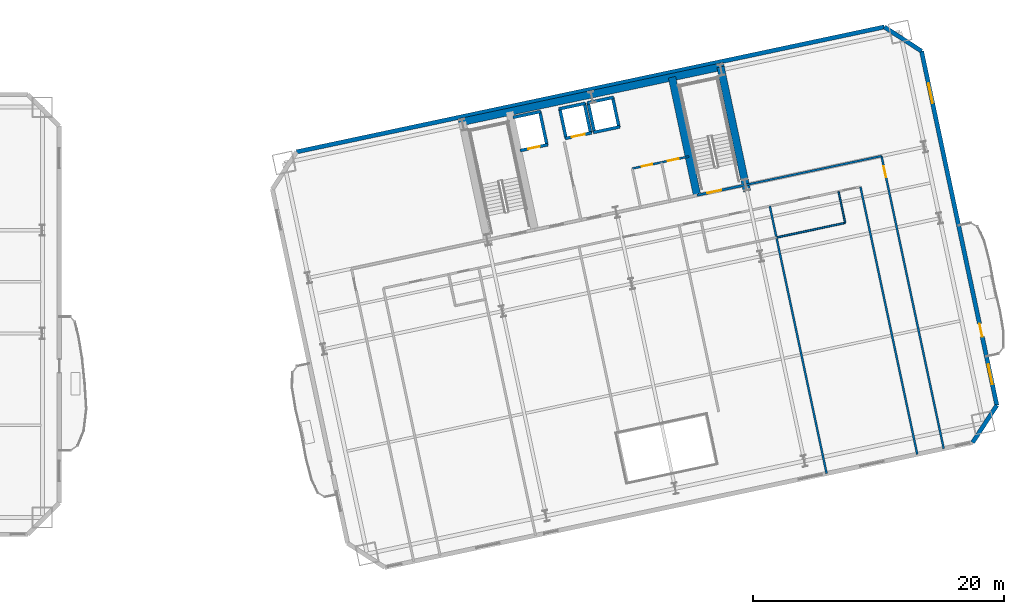
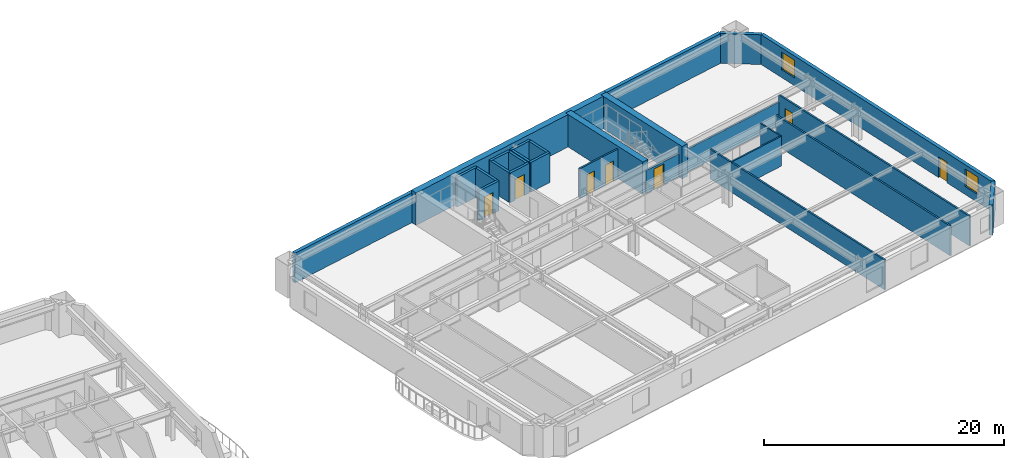
# One storey, part 9 of 17: 26 walls, 7 doors, 2 windows, 9 openings.
"""IFC4 building model written with IfcOpenShell, lengths in metres."""

from ifc_helpers import new_model, si_unit, direction, frame, frame_2d, origin, place, context, subcontext, project, spatial, rectangle, extrude, material, layer, layer_set, type_object, element, fill, save


model = new_model("IFC4")

# Units and contexts
model_context = context("Model", 3, precision=1e-05, world=origin(), true_north=direction((0.0, 1.0)))
body_context = subcontext(model_context, "Body", "Model", "MODEL_VIEW")
ifc_project = project(units=[si_unit("LENGTHUNIT", "METRE"), si_unit("AREAUNIT", "SQUARE_METRE"), si_unit("VOLUMEUNIT", "CUBIC_METRE"), si_unit("PLANEANGLEUNIT", "RADIAN"), si_unit("MASSUNIT", "GRAM", prefix="KILO")], contexts=[model_context])

# Site, building, storey
site_placement = place(None, origin())
site = spatial("IfcSite", under=ifc_project, at=site_placement, CompositionType="ELEMENT")
building_placement = place(site_placement, origin())
building = spatial("IfcBuilding", under=site, at=building_placement, Name="Haevon Station Towers", CompositionType="ELEMENT")
storey_placement = place(building_placement, frame((0.0, 0.0, 37.199951171875)))
storey = spatial("IfcBuildingStorey", under=building, at=storey_placement, Name="L08", CompositionType="ELEMENT", Elevation=37.199951171875)

# Wall, opening, door
ifc_material_1 = material(Name="Gypsum board on steel stud", Category="steel")
ifc_layer_1 = layer(ifc_material_1, 0.199951171875)
ifc_layer_set_1 = layer_set([ifc_layer_1], Name="Gypsum board on steel stud")
wall_type_1 = type_object("IfcWallType", Name="WL-COR200", PredefinedType="PARTITIONING", material=ifc_layer_set_1)
wall_1_placement = place(storey_placement, frame((115.4296875, 40.9873046875, 0.0), z_axis=(0.0, 0.0, 1.0), x_axis=(0.978146596989, 0.207916413008, 0.0)))
wall_1 = element("IfcWall", 1, at=wall_1_placement, inside=storey, type_object=wall_type_1, Name="WL-ST-ST4-L08", PredefinedType="PARTITIONING", context=body_context, shape_type="SweptSolid", body=[
    extrude(rectangle(XDim=3.9501953125, YDim=0.199951171875, at=frame_2d((1.97509765625, 0.0))), origin(), (0.0, 0.0, 1.0), 2.330078125),
])
opening_1_placement = place(wall_1_placement, frame((0.85009765625, 0.0, 0.0)))
opening_1 = element("IfcOpeningElement", 2, at=opening_1_placement, cuts=wall_1, Name="Opening DR-ST-ST4-L08", PredefinedType="OPENING", context=body_context, shape_type="SweptSolid", body=[
    extrude(rectangle(XDim=1.1201171875, YDim=2.10009765625, at=frame_2d((0.56005859375, 1.050048828125))), frame((0.0, 0.10986328125, 0.0), z_axis=(0.0, -1.0, 0.0), x_axis=(1.0, 0.0, 0.0)), (0.0, 0.0, 1.0), 0.219970703125),
])
ifc_material_2 = material(Name="Engineered oak timber", Category="wood")
door_type_1 = type_object("IfcDoorType", Name="DR-ST-1120", OperationType="NOTDEFINED", PredefinedType="DOOR", material=ifc_material_2)
door_1_placement = place(opening_1_placement, origin())
door_1 = element("IfcDoor", 3, at=door_1_placement, inside=storey, type_object=door_type_1, Name="L08 Escape Stair ST4 Fire Door", OperationType="SINGLE_SWING_LEFT", OverallHeight=2.10009765625, OverallWidth=1.1201171875, PredefinedType="DOOR", context=body_context, shape_type="SweptSolid", body=[
    extrude(rectangle(XDim=1.1201171875, YDim=2.10009765625, at=frame_2d((0.56005859375, 1.050048828125))), frame((0.0, 0.02490234375, 0.0), z_axis=(0.0, -1.0, 0.0), x_axis=(1.0, 0.0, 0.0)), (0.0, 0.0, 1.0), 0.050048828125),
])
fill(opening_1, door_1)

# Walls
ifc_material_3 = material(Name="Concrete C60/75", Category="concrete")
ifc_layer_2 = layer(ifc_material_3, 0.60009765625)
ifc_layer_set_2 = layer_set([ifc_layer_2], Name="Concrete C60/75")
wall_type_2 = type_object("IfcWallType", Name="WL-CR600", PredefinedType="SHEAR", material=ifc_layer_set_2)
wall_2_placement = place(storey_placement, frame((96.462890625, 46.770263671875, 0.0), z_axis=(0.0, 0.0, 1.0), x_axis=(0.978147272959, 0.207913232873, 0.0)))
element("IfcWall", 4, at=wall_2_placement, inside=storey, type_object=wall_type_2, Name="WL-T2CR-L08-N", PredefinedType="SHEAR", context=body_context, shape_type="SweptSolid", body=[
    extrude(rectangle(XDim=21.60009765625, YDim=0.60009765625, at=frame_2d((10.800048828125, 0.0))), origin(), (0.0, 0.0, 1.0), 3.300048828125),
])
wall_3_placement = place(storey_placement, frame((119.401611328125, 41.2998046875, 0.0), z_axis=(0.0, 0.0, 1.0), x_axis=(-0.207904342798, 0.978149162575, 0.0)))
element("IfcWall", 5, at=wall_3_placement, inside=storey, type_object=wall_type_2, Name="WL-T2CR-L08-E", PredefinedType="SHEAR", context=body_context, shape_type="SweptSolid", body=[
    extrude(rectangle(XDim=10.1201171875, YDim=0.60009765625, at=frame_2d((5.06005859375, 0.0))), origin(), (0.0, 0.0, 1.0), 3.300048828125),
])
wall_4_placement = place(storey_placement, frame((115.4296875, 40.9873046875, 0.0), z_axis=(0.0, 0.0, 1.0), x_axis=(-0.207903162969, 0.978149413345, 0.0)))
element("IfcWall", 6, at=wall_4_placement, inside=storey, type_object=wall_type_2, Name="WL-T2CR-L08-M2", PredefinedType="SHEAR", context=body_context, shape_type="SweptSolid", body=[
    extrude(rectangle(XDim=9.599853515625, YDim=0.60009765625, at=frame_2d((4.7998046875, 0.0))), origin(), (0.0, 0.0, 1.0), 3.300048828125),
])
ifc_material_4 = material(Name="Precast concrete C45/55", Category="concrete")
ifc_layer_3 = layer(ifc_material_4, 0.340087890625)
ifc_layer_set_3 = layer_set([ifc_layer_3], Name="Precast concrete C45/55")
wall_type_3 = type_object("IfcWallType", Name="WL-EXT-PIER340", PredefinedType="SOLIDWALL", material=ifc_layer_set_3)
wall_5_placement = place(storey_placement, frame((83.566162109375, 44.43798828125, 0.0), z_axis=(0.0, 0.0, 1.0), x_axis=(0.97814833523, 0.207908235256, 0.0)))
element("IfcWall", 7, at=wall_5_placement, inside=storey, type_object=wall_type_3, Name="WL-T2-L08-N", PredefinedType="SOLIDWALL", context=body_context, shape_type="SweptSolid", body=[
    extrude(rectangle(XDim=47.7998046875, YDim=0.340087890625, at=frame_2d((23.89990234375, 0.0))), origin(), (0.0, 0.0, 1.0), 3.030029296875),
])
wall_6_placement = place(storey_placement, frame((130.321533203125, 54.3759765625, 0.0), z_axis=(0.0, 0.0, 1.0), x_axis=(0.838672309694, -0.544636352948, 0.0)))
element("IfcWall", 8, at=wall_6_placement, inside=storey, type_object=wall_type_3, Name="WL-T2-L08-NEC", PredefinedType="SOLIDWALL", context=body_context, shape_type="SweptSolid", body=[
    extrude(rectangle(XDim=3.535400390625, YDim=0.340087890625, at=frame_2d((1.767578125, 0.0))), origin(), (0.0, 0.0, 1.0), 3.030029296875),
])

# Wall, openings, door, windows
wall_7_placement = place(storey_placement, frame((133.28662109375, 52.450439453125, 0.0), z_axis=(0.0, 0.0, 1.0), x_axis=(0.207909549752, -0.978148055829, 0.0)))
wall_7 = element("IfcWall", 9, at=wall_7_placement, inside=storey, type_object=wall_type_3, Name="WL-T2-L08-E", PredefinedType="SOLIDWALL", context=body_context, shape_type="SweptSolid", body=[
    extrude(rectangle(XDim=28.800048828125, YDim=0.340087890625, at=frame_2d((14.39990234375, 0.0))), origin(), (0.0, 0.0, 1.0), 3.030029296875),
])
opening_2_placement = place(wall_7_placement, frame((22.175048828125, 0.0, 0.0)))
opening_2 = element("IfcOpeningElement", 10, at=opening_2_placement, cuts=wall_7, Name="Opening DR-T2-SCAL-L08-E", PredefinedType="OPENING", context=body_context, shape_type="SweptSolid", body=[
    extrude(rectangle(XDim=1.050048828125, YDim=2.10009765625, at=frame_2d((0.52490234375, 1.050048828125))), frame((0.0, 0.179931640625, 0.0), z_axis=(0.0, -1.0, 0.0), x_axis=(1.0, 0.0, 0.0)), (0.0, 0.0, 1.0), 0.360107421875),
])
opening_3_placement = place(wall_7_placement, frame((2.628662109375, 0.0, 0.800048828125)))
opening_3 = element("IfcOpeningElement", 11, at=opening_3_placement, cuts=wall_7, Name="Opening WN-END160", PredefinedType="OPENING", context=body_context, shape_type="SweptSolid", body=[
    extrude(rectangle(XDim=1.60009765625, YDim=1.800048828125, at=frame_2d((0.800048828125, 0.89990234375))), frame((0.0, 0.179931640625, 0.0), z_axis=(0.0, -1.0, 0.0), x_axis=(1.0, 0.0, 0.0)), (0.0, 0.0, 1.0), 0.360107421875),
])
opening_4_placement = place(wall_7_placement, frame((25.485595703125, 0.0, 0.800048828125)))
opening_4 = element("IfcOpeningElement", 12, at=opening_4_placement, cuts=wall_7, Name="Opening WN-END160", PredefinedType="OPENING", context=body_context, shape_type="SweptSolid", body=[
    extrude(rectangle(XDim=1.60009765625, YDim=1.800048828125, at=frame_2d((0.800048828125, 0.89990234375))), frame((0.0, 0.179931640625, 0.0), z_axis=(0.0, -1.0, 0.0), x_axis=(1.0, 0.0, 0.0)), (0.0, 0.0, 1.0), 0.360107421875),
])
ifc_material_5 = material(Name="Thermally broken anodised aluminium and laminated safety glass", Category="aluminium")
door_type_2 = type_object("IfcDoorType", Name="DR-BALC-1050", OperationType="NOTDEFINED", PredefinedType="DOOR", material=ifc_material_5)
door_2_placement = place(opening_2_placement, origin())
door_2 = element("IfcDoor", 13, at=door_2_placement, inside=storey, type_object=door_type_2, Name="Tower 2 L08 East Scalloped Balcony Door", OperationType="SINGLE_SWING_LEFT", OverallHeight=2.10009765625, OverallWidth=1.050048828125, PredefinedType="DOOR", context=body_context, shape_type="SweptSolid", body=[
    extrude(rectangle(XDim=1.050048828125, YDim=2.10009765625, at=frame_2d((0.52490234375, 1.050048828125))), frame((0.0, 0.02490234375, 0.0), z_axis=(0.0, -1.0, 0.0), x_axis=(1.0, 0.0, 0.0)), (0.0, 0.0, 1.0), 0.050048828125),
])
fill(opening_2, door_2)
ifc_material_6 = material(Name="Low-E triple glazing in thermally broken aluminium", Category="aluminium")
window_type = type_object("IfcWindowType", Name="WN-END160", PartitioningType="SINGLE_PANEL", PredefinedType="WINDOW", material=ifc_material_6)
window_1_placement = place(opening_3_placement, origin())
window_1 = element("IfcWindow", 14, at=window_1_placement, inside=storey, type_object=window_type, Name="WN-T2-L08-E01", OverallHeight=1.800048828125, OverallWidth=1.60009765625, PartitioningType="SINGLE_PANEL", PredefinedType="WINDOW", context=body_context, shape_type="SweptSolid", body=[
    extrude(rectangle(XDim=1.60009765625, YDim=1.800048828125, at=frame_2d((0.800048828125, 0.89990234375))), frame((0.0, 0.030029296875, 0.0), z_axis=(0.0, -1.0, 0.0), x_axis=(1.0, 0.0, 0.0)), (0.0, 0.0, 1.0), 0.06005859375),
])
fill(opening_3, window_1)
window_2_placement = place(opening_4_placement, origin())
window_2 = element("IfcWindow", 15, at=window_2_placement, inside=storey, type_object=window_type, Name="WN-T2-L08-E02", OverallHeight=1.800048828125, OverallWidth=1.60009765625, PartitioningType="SINGLE_PANEL", PredefinedType="WINDOW", context=body_context, shape_type="SweptSolid", body=[
    extrude(rectangle(XDim=1.60009765625, YDim=1.800048828125, at=frame_2d((0.800048828125, 0.89990234375))), frame((0.0, 0.030029296875, 0.0), z_axis=(0.0, -1.0, 0.0), x_axis=(1.0, 0.0, 0.0)), (0.0, 0.0, 1.0), 0.06005859375),
])
fill(opening_4, window_2)

# Walls
wall_8_placement = place(storey_placement, frame((139.2744140625, 24.27978515625, 0.0), z_axis=(0.0, 0.0, 1.0), x_axis=(-0.544636352948, -0.838672309694, 0.0)))
element("IfcWall", 16, at=wall_8_placement, inside=storey, type_object=wall_type_3, Name="WL-T2-L08-SEC", PredefinedType="SOLIDWALL", context=body_context, shape_type="SweptSolid", body=[
    extrude(rectangle(XDim=3.535400390625, YDim=0.340087890625, at=frame_2d((1.767578125, 0.0))), origin(), (0.0, 0.0, 1.0), 3.030029296875),
])
ifc_layer_4 = layer(ifc_material_1, 0.125)
ifc_layer_set_4 = layer_set([ifc_layer_4], Name="Gypsum board on steel stud")
wall_type_4 = type_object("IfcWallType", Name="WL-PRT125", PredefinedType="PARTITIONING", material=ifc_layer_set_4)
wall_9_placement = place(storey_placement, frame((127.21435546875, 38.789306640625, 0.0), z_axis=(0.0, 0.0, 1.0), x_axis=(-0.207940050407, 0.978141572287, 0.0)))
element("IfcWall", 17, at=wall_9_placement, inside=storey, type_object=wall_type_4, Name="WL-T2PT-L08-21", PredefinedType="PARTITIONING", context=body_context, shape_type="SweptSolid", body=[
    extrude(rectangle(XDim=2.550048828125, YDim=0.125, at=frame_2d((1.27490234375, 0.0))), origin(), (0.0, 0.0, 1.0), 3.030029296875),
])
ifc_layer_5 = layer(ifc_material_1, 0.139892578125)
ifc_layer_set_5 = layer_set([ifc_layer_5], Name="Gypsum board on steel stud")
wall_type_5 = type_object("IfcWallType", Name="WL-PRT140", PredefinedType="PARTITIONING", material=ifc_layer_set_5)
wall_10_placement = place(storey_placement, frame((121.744384765625, 37.626708984375, 0.0), z_axis=(0.0, 0.0, 1.0), x_axis=(0.978150528478, 0.207897916385, 0.0)))
element("IfcWall", 18, at=wall_10_placement, inside=storey, type_object=wall_type_5, Name="WL-T2PT-L08-20", PredefinedType="PARTITIONING", context=body_context, shape_type="SweptSolid", body=[
    extrude(rectangle(XDim=5.592041015625, YDim=0.139892578125, at=frame_2d((2.7958984375, 0.0))), origin(), (0.0, 0.0, 1.0), 3.030029296875),
])

# Wall, openings, doors
ifc_layer_6 = layer(ifc_material_1, 0.159912109375)
ifc_layer_set_6 = layer_set([ifc_layer_6], Name="Gypsum board on steel stud")
wall_type_6 = type_object("IfcWallType", Name="WL-PRT160", PredefinedType="PARTITIONING", material=ifc_layer_set_6)
wall_11_placement = place(storey_placement, frame((110.275390625, 43.112060546875, 0.0), z_axis=(0.0, 0.0, 1.0), x_axis=(0.978152106073, 0.207890493732, 0.0)))
wall_11 = element("IfcWall", 19, at=wall_11_placement, inside=storey, type_object=wall_type_6, Name="WL-T2CW-L08-03", PredefinedType="PARTITIONING", context=body_context, shape_type="SweptSolid", body=[
    extrude(rectangle(XDim=4.60009765625, YDim=0.159912109375, at=frame_2d((2.300048828125, 0.0))), origin(), (0.0, 0.0, 1.0), 3.030029296875),
])
opening_5_placement = place(wall_11_placement, frame((0.784912109375, 0.0, 0.0)))
opening_5 = element("IfcOpeningElement", 20, at=opening_5_placement, cuts=wall_11, Name="Opening DR-WL-T2CW-L08-03-1", PredefinedType="OPENING", context=body_context, shape_type="SweptSolid", body=[
    extrude(rectangle(XDim=0.85009765625, YDim=2.050048828125, at=frame_2d((0.425048828125, 1.02490234375))), frame((0.0, 0.08984375, 0.0), z_axis=(0.0, -1.0, 0.0), x_axis=(1.0, 0.0, 0.0)), (0.0, 0.0, 1.0), 0.179931640625),
])
opening_6_placement = place(wall_11_placement, frame((2.905029296875, 0.0, 0.0)))
opening_6 = element("IfcOpeningElement", 21, at=opening_6_placement, cuts=wall_11, Name="Opening DR-WL-T2CW-L08-03-2", PredefinedType="OPENING", context=body_context, shape_type="SweptSolid", body=[
    extrude(rectangle(XDim=0.85009765625, YDim=2.050048828125, at=frame_2d((0.425048828125, 1.02490234375))), frame((0.0, 0.08984375, 0.0), z_axis=(0.0, -1.0, 0.0), x_axis=(1.0, 0.0, 0.0)), (0.0, 0.0, 1.0), 0.179931640625),
])
door_type_3 = type_object("IfcDoorType", Name="DR-FD30-850", OperationType="NOTDEFINED", PredefinedType="DOOR", material=ifc_material_2)
door_3_placement = place(opening_5_placement, origin())
door_3 = element("IfcDoor", 22, at=door_3_placement, inside=storey, type_object=door_type_3, Name="L08 Tower 2 Core Room Door 3-1", OperationType="SINGLE_SWING_LEFT", OverallHeight=2.050048828125, OverallWidth=0.85009765625, PredefinedType="DOOR", context=body_context, shape_type="SweptSolid", body=[
    extrude(rectangle(XDim=0.85009765625, YDim=2.050048828125, at=frame_2d((0.425048828125, 1.02490234375))), frame((0.0, 0.02490234375, 0.0), z_axis=(0.0, -1.0, 0.0), x_axis=(1.0, 0.0, 0.0)), (0.0, 0.0, 1.0), 0.050048828125),
])
fill(opening_5, door_3)
door_4_placement = place(opening_6_placement, origin())
door_4 = element("IfcDoor", 23, at=door_4_placement, inside=storey, type_object=door_type_3, Name="L08 Tower 2 Core Room Door 3-2", OperationType="SINGLE_SWING_RIGHT", OverallHeight=2.050048828125, OverallWidth=0.85009765625, PredefinedType="DOOR", context=body_context, shape_type="SweptSolid", body=[
    extrude(rectangle(XDim=0.85009765625, YDim=2.050048828125, at=frame_2d((0.425048828125, 1.02490234375))), frame((0.0, 0.02490234375, 0.0), z_axis=(0.0, -1.0, 0.0), x_axis=(1.0, 0.0, 0.0)), (0.0, 0.0, 1.0), 0.050048828125),
])
fill(opening_6, door_4)

# Walls
wall_12_placement = place(storey_placement, frame((132.947265625, 20.379150390625, 0.0), z_axis=(0.0, 0.0, 1.0), x_axis=(-0.207907487947, 0.978148494072, 0.0)))
element("IfcWall", 24, at=wall_12_placement, inside=storey, type_object=wall_type_6, Name="WL-T2PT-L08-02", PredefinedType="PARTITIONING", context=body_context, shape_type="SweptSolid", body=[
    extrude(rectangle(XDim=21.75, YDim=0.159912109375, at=frame_2d((10.875, 0.0))), origin(), (0.0, 0.0, 1.0), 3.030029296875),
])
wall_13_placement = place(storey_placement, frame((119.29345703125, 41.80859375, 0.0), z_axis=(0.0, 0.0, 1.0), x_axis=(0.978148967098, 0.207905262477, 0.0)))
element("IfcWall", 25, at=wall_13_placement, inside=storey, type_object=wall_type_6, Name="WL-T2PT-L08-04", PredefinedType="PARTITIONING", context=body_context, shape_type="SweptSolid", body=[
    extrude(rectangle(XDim=11.050048828125, YDim=0.159912109375, at=frame_2d((5.52490234375, 0.0))), origin(), (0.0, 0.0, 1.0), 2.330078125),
])

# Wall, opening, door
wall_14_placement = place(storey_placement, frame((135.05029296875, 20.826171875, 0.0), z_axis=(0.0, 0.0, 1.0), x_axis=(-0.207910528946, 0.978147847697, 0.0)))
wall_14 = element("IfcWall", 26, at=wall_14_placement, inside=storey, type_object=wall_type_6, Name="WL-T2PT-L08-06", PredefinedType="PARTITIONING", context=body_context, shape_type="SweptSolid", body=[
    extrude(rectangle(XDim=23.7998046875, YDim=0.159912109375, at=frame_2d((11.89990234375, 0.0))), origin(), (0.0, 0.0, 1.0), 3.030029296875),
])
opening_7_placement = place(wall_14_placement, frame((22.070068359375, 0.0, 0.0)))
opening_7 = element("IfcOpeningElement", 27, at=opening_7_placement, cuts=wall_14, Name="Opening DR-WL-T2PT-L08-06-01", PredefinedType="OPENING", context=body_context, shape_type="SweptSolid", body=[
    extrude(rectangle(XDim=0.89990234375, YDim=2.050048828125, at=frame_2d((0.449951171875, 1.02490234375))), frame((0.0, 0.08984375, 0.0), z_axis=(0.0, -1.0, 0.0), x_axis=(1.0, 0.0, 0.0)), (0.0, 0.0, 1.0), 0.179931640625),
])
door_type_4 = type_object("IfcDoorType", Name="DR-INT-900", OperationType="NOTDEFINED", PredefinedType="DOOR", material=ifc_material_2)
door_5_placement = place(opening_7_placement, origin())
door_5 = element("IfcDoor", 28, at=door_5_placement, inside=storey, type_object=door_type_4, Name="L08 Tower 2 Room Door 6-1", OperationType="SINGLE_SWING_RIGHT", OverallHeight=2.050048828125, OverallWidth=0.89990234375, PredefinedType="DOOR", context=body_context, shape_type="SweptSolid", body=[
    extrude(rectangle(XDim=0.89990234375, YDim=2.050048828125, at=frame_2d((0.449951171875, 1.02490234375))), frame((0.0, 0.02490234375, 0.0), z_axis=(0.0, -1.0, 0.0), x_axis=(1.0, 0.0, 0.0)), (0.0, 0.0, 1.0), 0.050048828125),
])
fill(opening_7, door_5)

# Wall
wall_15_placement = place(storey_placement, frame((125.736328125, 18.846435546875, 0.0), z_axis=(0.0, 0.0, 1.0), x_axis=(-0.207907487947, 0.978148494072, 0.0)))
element("IfcWall", 29, at=wall_15_placement, inside=storey, type_object=wall_type_6, Name="WL-T2PT-L08-19", PredefinedType="PARTITIONING", context=body_context, shape_type="SweptSolid", body=[
    extrude(rectangle(XDim=21.75, YDim=0.159912109375, at=frame_2d((10.875, 0.0))), origin(), (0.0, 0.0, 1.0), 3.030029296875),
])

# Wall, opening, door
ifc_material_7 = material(Name="Concrete C40/50", Category="concrete")
ifc_layer_7 = layer(ifc_material_7, 0.239990234375)
ifc_layer_set_7 = layer_set([ifc_layer_7], Name="Concrete C40/50")
wall_type_7 = type_object("IfcWallType", Name="WL-SHF240", PredefinedType="PARTITIONING", material=ifc_layer_set_7)
wall_16_placement = place(storey_placement, frame((101.353759765625, 44.538330078125, 0.0), z_axis=(0.0, 0.0, 1.0), x_axis=(0.978141002414, 0.207942731049, 0.0)))
wall_16 = element("IfcWall", 30, at=wall_16_placement, inside=storey, type_object=wall_type_7, Name="WL-SHF-FL2-L08", PredefinedType="PARTITIONING", context=body_context, shape_type="SweptSolid", body=[
    extrude(rectangle(XDim=2.260009765625, YDim=0.239990234375, at=frame_2d((1.1298828125, 0.0))), origin(), (0.0, 0.0, 1.0), 3.030029296875),
])
opening_8_placement = place(wall_16_placement, frame((0.655029296875, 0.0, 0.0)))
opening_8 = element("IfcOpeningElement", 31, at=opening_8_placement, cuts=wall_16, Name="Opening LD-FL2-L08", PredefinedType="OPENING", context=body_context, shape_type="SweptSolid", body=[
    extrude(rectangle(XDim=0.949951171875, YDim=2.14990234375, at=frame_2d((0.47509765625, 1.074951171875))), frame((0.0, 0.1298828125, 0.0), z_axis=(0.0, -1.0, 0.0), x_axis=(1.0, 0.0, 0.0)), (0.0, 0.0, 1.0), 0.260009765625),
])
ifc_material_8 = material(Name="Stainless steel and rated core", Category="steel")
door_type_5 = type_object("IfcDoorType", Name="LD-FL950", OperationType="SLIDING_TO_LEFT", PredefinedType="DOOR", material=ifc_material_8)
door_6_placement = place(opening_8_placement, origin())
door_6 = element("IfcDoor", 32, at=door_6_placement, inside=storey, type_object=door_type_5, Name="L08 Lift FL2 Sliding Landing Door", OperationType="SLIDING_TO_LEFT", OverallHeight=2.14990234375, OverallWidth=0.949951171875, PredefinedType="DOOR", context=body_context, shape_type="SweptSolid", body=[
    extrude(rectangle(XDim=0.949951171875, YDim=2.14990234375, at=frame_2d((0.47509765625, 1.074951171875))), frame((0.0, 0.02490234375, 0.0), z_axis=(0.0, -1.0, 0.0), x_axis=(1.0, 0.0, 0.0)), (0.0, 0.0, 1.0), 0.050048828125),
])
fill(opening_8, door_6)

# Walls
wall_17_placement = place(storey_placement, frame((100.79248046875, 47.179443359375, 0.0), z_axis=(0.0, 0.0, 1.0), x_axis=(0.978162968872, 0.207839376268, 0.0)))
element("IfcWall", 33, at=wall_17_placement, inside=storey, type_object=wall_type_7, Name="WL-SHF-FL2-L08-N", PredefinedType="PARTITIONING", context=body_context, shape_type="SweptSolid", body=[
    extrude(rectangle(XDim=2.260009765625, YDim=0.239990234375, at=frame_2d((1.1298828125, 0.0))), origin(), (0.0, 0.0, 1.0), 3.030029296875),
])
wall_18_placement = place(storey_placement, frame((103.486328125, 44.99169921875, 0.0), z_axis=(0.0, 0.0, 1.0), x_axis=(-0.207978798957, 0.978133334052, 0.0)))
element("IfcWall", 34, at=wall_18_placement, inside=storey, type_object=wall_type_7, Name="WL-SHF-FL2-L08-E", PredefinedType="PARTITIONING", context=body_context, shape_type="SweptSolid", body=[
    extrude(rectangle(XDim=2.699951171875, YDim=0.239990234375, at=frame_2d((1.35009765625, 0.0))), origin(), (0.0, 0.0, 1.0), 3.030029296875),
])

# Wall, opening, door
wall_19_placement = place(storey_placement, frame((104.931396484375, 45.503173828125, 0.0), z_axis=(0.0, 0.0, 1.0), x_axis=(0.97813528961, 0.207969601673, 0.0)))
wall_19 = element("IfcWall", 35, at=wall_19_placement, inside=storey, type_object=wall_type_7, Name="WL-SHF-PL7-L08", PredefinedType="PARTITIONING", context=body_context, shape_type="SweptSolid", body=[
    extrude(rectangle(XDim=2.159912109375, YDim=0.239990234375, at=frame_2d((1.080078125, 0.0))), origin(), (0.0, 0.0, 1.0), 3.030029296875),
])
opening_9_placement = place(wall_19_placement, frame((0.554931640625, 0.0, 0.0)))
opening_9 = element("IfcOpeningElement", 36, at=opening_9_placement, cuts=wall_19, Name="Opening LD-PL7-L08", PredefinedType="OPENING", context=body_context, shape_type="SweptSolid", body=[
    extrude(rectangle(XDim=1.050048828125, YDim=2.14990234375, at=frame_2d((0.52490234375, 1.074951171875))), frame((0.0, 0.1298828125, 0.0), z_axis=(0.0, -1.0, 0.0), x_axis=(1.0, 0.0, 0.0)), (0.0, 0.0, 1.0), 0.260009765625),
])
door_type_6 = type_object("IfcDoorType", Name="LD-PL1050", OperationType="SLIDING_TO_LEFT", PredefinedType="DOOR", material=ifc_material_8)
door_7_placement = place(opening_9_placement, origin())
door_7 = element("IfcDoor", 37, at=door_7_placement, inside=storey, type_object=door_type_6, Name="L08 Lift PL7 Sliding Landing Door", OperationType="SLIDING_TO_LEFT", OverallHeight=2.14990234375, OverallWidth=1.050048828125, PredefinedType="DOOR", context=body_context, shape_type="SweptSolid", body=[
    extrude(rectangle(XDim=1.050048828125, YDim=2.14990234375, at=frame_2d((0.52490234375, 1.074951171875))), frame((0.0, 0.02490234375, 0.0), z_axis=(0.0, -1.0, 0.0), x_axis=(1.0, 0.0, 0.0)), (0.0, 0.0, 1.0), 0.050048828125),
])
fill(opening_9, door_7)

# Walls
wall_20_placement = place(storey_placement, frame((104.432373046875, 47.850830078125, 0.0), z_axis=(0.0, 0.0, 1.0), x_axis=(0.978158276388, 0.207861459473, 0.0)))
element("IfcWall", 38, at=wall_20_placement, inside=storey, type_object=wall_type_7, Name="WL-SHF-PL7-L08-N", PredefinedType="PARTITIONING", context=body_context, shape_type="SweptSolid", body=[
    extrude(rectangle(XDim=2.159912109375, YDim=0.239990234375, at=frame_2d((1.080078125, 0.0))), origin(), (0.0, 0.0, 1.0), 3.030029296875),
])
wall_21_placement = place(storey_placement, frame((105.009765625, 45.519775390625, 0.0), z_axis=(0.0, 0.0, 1.0), x_axis=(-0.207917150959, 0.978146440129, 0.0)))
element("IfcWall", 39, at=wall_21_placement, inside=storey, type_object=wall_type_7, Name="WL-SHF-PL7-L08-W", PredefinedType="PARTITIONING", context=body_context, shape_type="SweptSolid", body=[
    extrude(rectangle(XDim=2.400146484375, YDim=0.239990234375, at=frame_2d((1.2001953125, 0.0))), origin(), (0.0, 0.0, 1.0), 3.030029296875),
])
wall_22_placement = place(storey_placement, frame((106.966064453125, 45.935791015625, 0.0), z_axis=(0.0, 0.0, 1.0), x_axis=(-0.207937840262, 0.978142042133, 0.0)))
element("IfcWall", 40, at=wall_22_placement, inside=storey, type_object=wall_type_7, Name="WL-SHF-PL7-L08-E", PredefinedType="PARTITIONING", context=body_context, shape_type="SweptSolid", body=[
    extrude(rectangle(XDim=2.39990234375, YDim=0.239990234375, at=frame_2d((1.199951171875, 0.0))), origin(), (0.0, 0.0, 1.0), 3.030029296875),
])
for number, where, z_axis, x_axis, name in (
    (41, (107.18115234375, 45.9814453125, 0.0), (0.0, 0.0, 1.0), (0.97813528961, 0.207969601673, 0.0), "WL-SHF-PL8-L08"),
    (42, (106.68212890625, 48.3291015625, 0.0), (0.0, 0.0, 1.0), (0.978158276388, 0.207861459473, 0.0), "WL-SHF-PL8-L08-N"),
):
    element("IfcWall", number, at=place(storey_placement, frame(where, z_axis=z_axis, x_axis=x_axis)), inside=storey, type_object=wall_type_7, Name=name, PredefinedType="PARTITIONING", context=body_context, shape_type="SweptSolid", body=[
        extrude(rectangle(XDim=2.159912109375, YDim=0.239990234375, at=frame_2d((1.080078125, 0.0))), origin(), (0.0, 0.0, 1.0), 3.030029296875),
    ])
for number, where, z_axis, x_axis, name in (
    (43, (107.259521484375, 45.998046875, 0.0), (0.0, 0.0, 1.0), (-0.207917150959, 0.978146440129, 0.0), "WL-SHF-PL8-L08-W"),
    (44, (109.2158203125, 46.413818359375, 0.0), (0.0, 0.0, 1.0), (-0.207917150959, 0.978146440129, 0.0), "WL-SHF-PL8-L08-E"),
):
    element("IfcWall", number, at=place(storey_placement, frame(where, z_axis=z_axis, x_axis=x_axis)), inside=storey, type_object=wall_type_7, Name=name, PredefinedType="PARTITIONING", context=body_context, shape_type="SweptSolid", body=[
        extrude(rectangle(XDim=2.400146484375, YDim=0.239990234375, at=frame_2d((1.2001953125, 0.0))), origin(), (0.0, 0.0, 1.0), 3.030029296875),
    ])

save(model, "model.ifc")
